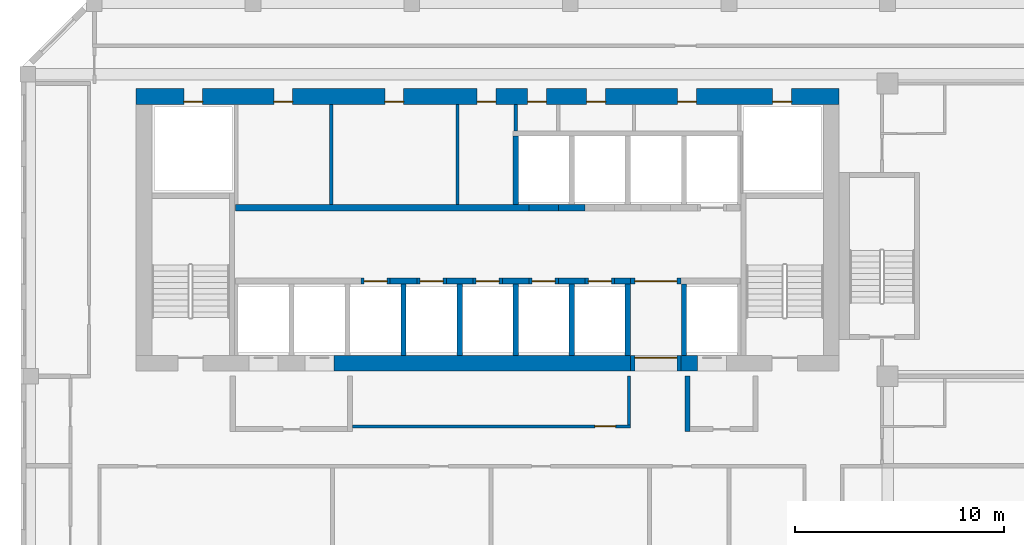
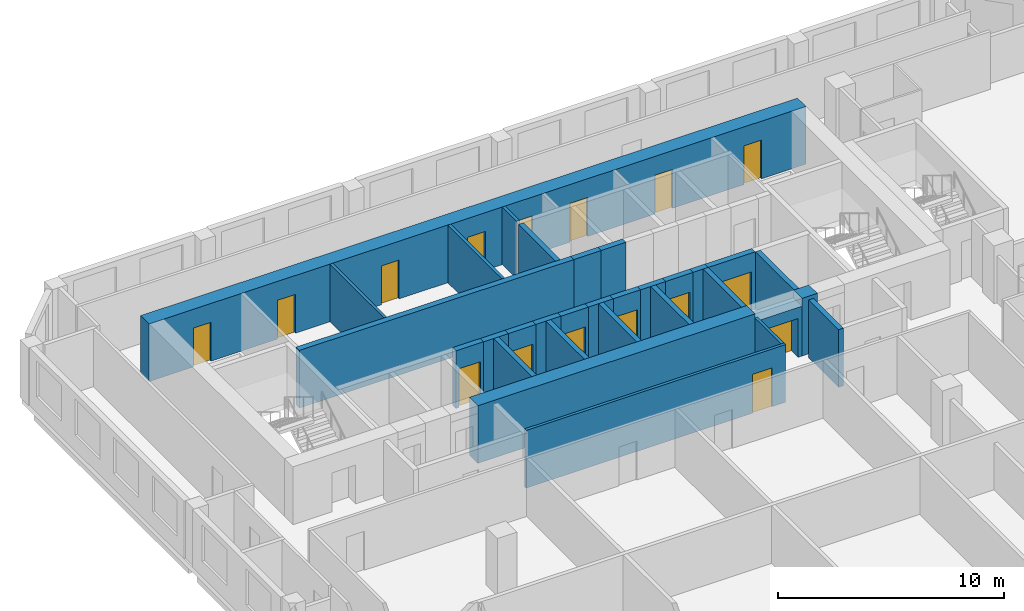
# One storey, part 7 of 22: 31 walls, 16 doors, 16 openings.
"""IFC4 building model written with IfcOpenShell, lengths in metres."""

from ifc_helpers import new_model, si_unit, direction, frame, frame_2d, origin, place, context, subcontext, project, spatial, rectangle, extrude, source, transform, mapped, material, layer, layer_set, type_object, element, fill, save


model = new_model("IFC4")

# Units and contexts
model_context = context("Model", 3, precision=1e-05, world=origin(), true_north=direction((0.0, 1.0)))
body_context = subcontext(model_context, "Body", "Model", "MODEL_VIEW")
ifc_project = project(units=[si_unit("LENGTHUNIT", "METRE"), si_unit("AREAUNIT", "SQUARE_METRE"), si_unit("VOLUMEUNIT", "CUBIC_METRE"), si_unit("PLANEANGLEUNIT", "RADIAN"), si_unit("MASSUNIT", "GRAM", prefix="KILO")], contexts=[model_context])

# Site, building, storey
site_placement = place(None, origin())
site = spatial("IfcSite", under=ifc_project, at=site_placement, CompositionType="ELEMENT")
building_placement = place(site_placement, origin())
building = spatial("IfcBuilding", under=site, at=building_placement, Name="Kilnfold Tower and Market Hall", CompositionType="ELEMENT")
storey_placement = place(building_placement, frame((0.0, 0.0, 213.5)))
storey = spatial("IfcBuildingStorey", under=building, at=storey_placement, Name="L52", CompositionType="ELEMENT", Elevation=213.5)

# Wall, opening, door
ifc_material_1 = material(Name="Gypsum board on steel studs", Category="steel")
ifc_layer_1 = layer(ifc_material_1, 0.14990234375)
ifc_layer_set_1 = layer_set([ifc_layer_1], Name="Gypsum board on steel studs")
wall_type_1 = type_object("IfcWallType", Name="WALL CORRIDOR 150", PredefinedType="PARTITIONING", material=ifc_layer_set_1)
wall_1_placement = place(storey_placement, frame((7.875, 5.60009765625, 0.0), z_axis=(0.0, 0.0, 1.0), x_axis=(-1.0, 0.0, 0.0)))
wall_1 = element("IfcWall", 1, at=wall_1_placement, inside=storey, type_object=wall_type_1, Name="Partition LY31.32", PredefinedType="PARTITIONING", context=body_context, shape_type="SweptSolid", body=[
    extrude(rectangle(XDim=13.27490234375, YDim=0.14990234375, at=frame_2d((6.637451171875, 0.0))), origin(), (0.0, 0.0, 1.0), 3.1201171875),
])
opening_1_placement = place(wall_1_placement, frame((0.702880859375, 0.0, 0.0)))
opening_1 = element("IfcOpeningElement", 2, at=opening_1_placement, cuts=wall_1, Name="Opening D1", PredefinedType="OPENING", context=body_context, shape_type="SweptSolid", body=[
    extrude(rectangle(XDim=1.0, YDim=2.10009765625, at=frame_2d((0.5, 1.050048828125))), frame((0.0, 0.0849609375, 0.0), z_axis=(0.0, -1.0, 0.0), x_axis=(1.0, 0.0, 0.0)), (0.0, 0.0, 1.0), 0.169921875),
])
ifc_material_2 = material(Name="Timber veneer door leaf in steel frame", Category="steel")
door_type_1 = type_object("IfcDoorType", Name="DOOR ENTRY 1000 X2100", OperationType="NOTDEFINED", PredefinedType="DOOR", material=ifc_material_2)
door_1_placement = place(opening_1_placement, origin())
door_1 = element("IfcDoor", 3, at=door_1_placement, inside=storey, type_object=door_type_1, Name="Door D1", OperationType="SINGLE_SWING_RIGHT", OverallHeight=2.10009765625, OverallWidth=1.0, PredefinedType="DOOR", context=body_context, shape_type="SweptSolid", body=[
    extrude(rectangle(XDim=1.0, YDim=2.10009765625, at=frame_2d((0.5, 1.050048828125))), frame((0.0, 0.02490234375, 0.0), z_axis=(0.0, -1.0, 0.0), x_axis=(1.0, 0.0, 0.0)), (0.0, 0.0, 1.0), 0.050048828125),
])
fill(opening_1, door_1)

# Walls
wall_2_placement = place(storey_placement, frame((7.800048828125, 8.0, 0.0), z_axis=(0.0, 0.0, 1.0), x_axis=(0.0, -1.0, 0.0)))
element("IfcWall", 4, at=wall_2_placement, inside=storey, type_object=wall_type_1, Name="Partition LY31.33", PredefinedType="PARTITIONING", context=body_context, shape_type="SweptSolid", body=[
    extrude(rectangle(XDim=2.324951171875, YDim=0.14990234375, at=frame_2d((1.16259765625, 0.0))), origin(), (0.0, 0.0, 1.0), 3.1201171875),
])
ifc_material_3 = material(Name="Concrete C60", Category="concrete")
ifc_layer_2 = layer(ifc_material_3, 0.300048828125)
ifc_layer_set_2 = layer_set([ifc_layer_2], Name="Concrete C60")
wall_type_2 = type_object("IfcWallType", Name="CORE WALL 300 C60", PredefinedType="SHEAR", material=ifc_layer_set_2)
shared_shape_1 = source(origin(), body_context, "Body", "SweptSolid", [
    extrude(rectangle(XDim=1.280029296875, YDim=0.300048828125, at=frame_2d((0.64013671875, 0.0))), origin(), (0.0, 0.0, 1.0), 3.1201171875),
])
for number, where, z_axis, x_axis, name in (
    (5, (-3.610107421875, 12.550048828125, 0.0), (0.0, 0.0, 1.0), (1.0, 0.0, 0.0), "Core spine wall"),
    (6, (-0.929931640625, 12.550048828125, 0.0), (0.0, 0.0, 1.0), (1.0, 0.0, 0.0), "Core spine wall"),
    (7, (1.75, 12.550048828125, 0.0), (0.0, 0.0, 1.0), (1.0, 0.0, 0.0), "Core spine wall"),
    (8, (4.429931640625, 12.550048828125, 0.0), (0.0, 0.0, 1.0), (1.0, 0.0, 0.0), "Core spine wall"),
    (9, (4.429931640625, 16.050048828125, 0.0), (0.0, 0.0, 1.0), (1.0, 0.0, 0.0), "Core spine wall"),
):
    element("IfcWall", number, at=place(storey_placement, frame(where, z_axis=z_axis, x_axis=x_axis)), inside=storey, type_object=wall_type_2, Name=name, PredefinedType="SHEAR", context=body_context, shape_type="MappedRepresentation", body=[
        mapped(shared_shape_1, transform((0.0, 0.0, 0.0))),
    ])
shared_shape_2 = source(origin(), body_context, "Body", "SweptSolid", [
    extrude(rectangle(XDim=0.77978515625, YDim=0.300048828125, at=frame_2d((0.389892578125, 0.0))), origin(), (0.0, 0.0, 1.0), 3.1201171875),
])
wall_3_placement = place(storey_placement, frame((7.110107421875, 12.550048828125, 0.0), z_axis=(0.0, 0.0, 1.0), x_axis=(1.0, 0.0, 0.0)))
element("IfcWall", 10, at=wall_3_placement, inside=storey, type_object=wall_type_2, Name="Core spine wall", PredefinedType="SHEAR", context=body_context, shape_type="MappedRepresentation", body=[
    mapped(shared_shape_2, transform((0.0, 0.0, 0.0))),
])
shared_shape_3 = source(origin(), body_context, "Body", "SweptSolid", [
    extrude(rectangle(XDim=14.0400390625, YDim=0.300048828125, at=frame_2d((7.02001953125, 0.0))), origin(), (0.0, 0.0, 1.0), 3.1201171875),
])
wall_4_placement = place(storey_placement, frame((-11.010009765625, 16.050048828125, 0.0), z_axis=(0.0, 0.0, 1.0), x_axis=(1.0, 0.0, 0.0)))
element("IfcWall", 11, at=wall_4_placement, inside=storey, type_object=wall_type_2, Name="Core spine wall", PredefinedType="SHEAR", context=body_context, shape_type="MappedRepresentation", body=[
    mapped(shared_shape_3, transform((0.0, 0.0, 0.0))),
])
ifc_material_4 = material(Name="Concrete C60", Category="concrete")
ifc_layer_3 = layer(ifc_material_4, 0.75)
ifc_layer_set_3 = layer_set([ifc_layer_3], Name="Concrete C60")
wall_type_3 = type_object("IfcWallType", Name="CORE WALL 750 C60", PredefinedType="SHEAR", material=ifc_layer_set_3)
shared_shape_4 = source(origin(), body_context, "Body", "SweptSolid", [
    extrude(rectangle(XDim=14.179931640625, YDim=0.75, at=frame_2d((7.08984375, 0.0))), origin(), (0.0, 0.0, 1.0), 3.1201171875),
])
wall_5_placement = place(storey_placement, frame((-6.2900390625, 8.625, 0.0), z_axis=(0.0, 0.0, 1.0), x_axis=(1.0, 0.0, 0.0)))
element("IfcWall", 12, at=wall_5_placement, inside=storey, type_object=wall_type_3, Name="Core outer wall south", PredefinedType="SHEAR", context=body_context, shape_type="MappedRepresentation", body=[
    mapped(shared_shape_4, transform((0.0, 0.0, 0.0))),
])
shared_shape_5 = source(origin(), body_context, "Body", "SweptSolid", [
    extrude(rectangle(XDim=0.780029296875, YDim=0.75, at=frame_2d((0.39013671875, 0.0))), origin(), (0.0, 0.0, 1.0), 3.1201171875),
])
wall_6_placement = place(storey_placement, frame((10.2900390625, 8.625, 0.0), z_axis=(0.0, 0.0, 1.0), x_axis=(1.0, 0.0, 0.0)))
element("IfcWall", 13, at=wall_6_placement, inside=storey, type_object=wall_type_3, Name="Core outer wall south", PredefinedType="SHEAR", context=body_context, shape_type="MappedRepresentation", body=[
    mapped(shared_shape_5, transform((0.0, 0.0, 0.0))),
])

# Wall, openings, doors
shared_shape_6 = source(origin(), body_context, "Body", "SweptSolid", [
    extrude(rectangle(XDim=33.60009765625, YDim=0.75, at=frame_2d((16.800048828125, 0.0))), origin(), (0.0, 0.0, 1.0), 3.1201171875),
])
wall_7_placement = place(storey_placement, frame((-15.75, 21.375, 0.0), z_axis=(0.0, 0.0, 1.0), x_axis=(1.0, 0.0, 0.0)))
wall_7 = element("IfcWall", 14, at=wall_7_placement, inside=storey, type_object=wall_type_3, Name="Core outer wall north", PredefinedType="SHEAR", context=body_context, shape_type="MappedRepresentation", body=[
    mapped(shared_shape_6, transform((0.0, 0.0, 0.0))),
])
opening_2_placement = place(wall_7_placement, frame((6.581298828125, 0.0, 0.0)))
opening_2 = element("IfcOpeningElement", 15, at=opening_2_placement, cuts=wall_7, Name="Opening KD1", PredefinedType="OPENING", context=body_context, shape_type="SweptSolid", body=[
    extrude(rectangle(XDim=0.89990234375, YDim=2.10009765625, at=frame_2d((0.449951171875, 1.050048828125))), frame((0.0, 0.385009765625, 0.0), z_axis=(0.0, -1.0, 0.0), x_axis=(1.0, 0.0, 0.0)), (0.0, 0.0, 1.0), 0.77001953125),
])
opening_3_placement = place(wall_7_placement, frame((11.8876953125, 0.0, 0.0)))
opening_3 = element("IfcOpeningElement", 16, at=opening_3_placement, cuts=wall_7, Name="Opening KD1", PredefinedType="OPENING", context=body_context, shape_type="SweptSolid", body=[
    extrude(rectangle(XDim=0.89990234375, YDim=2.10009765625, at=frame_2d((0.449951171875, 1.050048828125))), frame((0.0, 0.385009765625, 0.0), z_axis=(0.0, -1.0, 0.0), x_axis=(1.0, 0.0, 0.0)), (0.0, 0.0, 1.0), 0.77001953125),
])
opening_4_placement = place(wall_7_placement, frame((16.29638671875, 0.0, 0.0)))
opening_4 = element("IfcOpeningElement", 17, at=opening_4_placement, cuts=wall_7, Name="Opening KD1", PredefinedType="OPENING", context=body_context, shape_type="SweptSolid", body=[
    extrude(rectangle(XDim=0.89990234375, YDim=2.10009765625, at=frame_2d((0.449951171875, 1.050048828125))), frame((0.0, 0.385009765625, 0.0), z_axis=(0.0, -1.0, 0.0), x_axis=(1.0, 0.0, 0.0)), (0.0, 0.0, 1.0), 0.77001953125),
])
opening_5_placement = place(wall_7_placement, frame((18.70849609375, 0.0, 0.0)))
opening_5 = element("IfcOpeningElement", 18, at=opening_5_placement, cuts=wall_7, Name="Opening KD1", PredefinedType="OPENING", context=body_context, shape_type="SweptSolid", body=[
    extrude(rectangle(XDim=0.89990234375, YDim=2.10009765625, at=frame_2d((0.449951171875, 1.050048828125))), frame((0.0, 0.385009765625, 0.0), z_axis=(0.0, -1.0, 0.0), x_axis=(1.0, 0.0, 0.0)), (0.0, 0.0, 1.0), 0.77001953125),
])
opening_6_placement = place(wall_7_placement, frame((21.535888671875, 0.0, 0.0)))
opening_6 = element("IfcOpeningElement", 19, at=opening_6_placement, cuts=wall_7, Name="Opening KD1", PredefinedType="OPENING", context=body_context, shape_type="SweptSolid", body=[
    extrude(rectangle(XDim=0.89990234375, YDim=2.10009765625, at=frame_2d((0.449951171875, 1.050048828125))), frame((0.0, 0.385009765625, 0.0), z_axis=(0.0, -1.0, 0.0), x_axis=(1.0, 0.0, 0.0)), (0.0, 0.0, 1.0), 0.77001953125),
])
opening_7_placement = place(wall_7_placement, frame((25.87744140625, 0.0, 0.0)))
opening_7 = element("IfcOpeningElement", 20, at=opening_7_placement, cuts=wall_7, Name="Opening KD1", PredefinedType="OPENING", context=body_context, shape_type="SweptSolid", body=[
    extrude(rectangle(XDim=0.89990234375, YDim=2.10009765625, at=frame_2d((0.449951171875, 1.050048828125))), frame((0.0, 0.385009765625, 0.0), z_axis=(0.0, -1.0, 0.0), x_axis=(1.0, 0.0, 0.0)), (0.0, 0.0, 1.0), 0.77001953125),
])
opening_8_placement = place(wall_7_placement, frame((2.27490234375, 0.0, 0.0)))
opening_8 = element("IfcOpeningElement", 21, at=opening_8_placement, cuts=wall_7, Name="Opening KD1", PredefinedType="OPENING", context=body_context, shape_type="SweptSolid", body=[
    extrude(rectangle(XDim=0.89990234375, YDim=2.10009765625, at=frame_2d((0.449951171875, 1.050048828125))), frame((0.0, 0.385009765625, 0.0), z_axis=(0.0, -1.0, 0.0), x_axis=(1.0, 0.0, 0.0)), (0.0, 0.0, 1.0), 0.77001953125),
])
opening_9_placement = place(wall_7_placement, frame((30.425048828125, 0.0, 0.0)))
opening_9 = element("IfcOpeningElement", 22, at=opening_9_placement, cuts=wall_7, Name="Opening KD1", PredefinedType="OPENING", context=body_context, shape_type="SweptSolid", body=[
    extrude(rectangle(XDim=0.89990234375, YDim=2.10009765625, at=frame_2d((0.449951171875, 1.050048828125))), frame((0.0, 0.385009765625, 0.0), z_axis=(0.0, -1.0, 0.0), x_axis=(1.0, 0.0, 0.0)), (0.0, 0.0, 1.0), 0.77001953125),
])
ifc_material_5 = material(Name="Steel door set with fire-resisting leaf", Category="steel")
door_type_2 = type_object("IfcDoorType", Name="SERVICE DOOR 900X2100", OperationType="NOTDEFINED", PredefinedType="DOOR", material=ifc_material_5)
door_2_placement = place(opening_2_placement, origin())
door_2 = element("IfcDoor", 23, at=door_2_placement, inside=storey, type_object=door_type_2, Name="Core service door", OperationType="SINGLE_SWING_RIGHT", OverallHeight=2.10009765625, OverallWidth=0.89990234375, PredefinedType="DOOR", context=body_context, shape_type="SweptSolid", body=[
    extrude(rectangle(XDim=0.89990234375, YDim=2.10009765625, at=frame_2d((0.449951171875, 1.050048828125))), frame((0.0, -0.22998046875, 0.0), z_axis=(0.0, -1.0, 0.0), x_axis=(1.0, 0.0, 0.0)), (0.0, 0.0, 1.0), 0.050048828125),
])
fill(opening_2, door_2)
door_3_placement = place(opening_3_placement, origin())
door_3 = element("IfcDoor", 24, at=door_3_placement, inside=storey, type_object=door_type_2, Name="Core service door", OperationType="SINGLE_SWING_LEFT", OverallHeight=2.10009765625, OverallWidth=0.89990234375, PredefinedType="DOOR", context=body_context, shape_type="SweptSolid", body=[
    extrude(rectangle(XDim=0.89990234375, YDim=2.10009765625, at=frame_2d((0.449951171875, 1.050048828125))), frame((0.0, -0.22998046875, 0.0), z_axis=(0.0, -1.0, 0.0), x_axis=(1.0, 0.0, 0.0)), (0.0, 0.0, 1.0), 0.050048828125),
])
fill(opening_3, door_3)
door_4_placement = place(opening_4_placement, origin())
door_4 = element("IfcDoor", 25, at=door_4_placement, inside=storey, type_object=door_type_2, Name="Core service door", OperationType="SINGLE_SWING_RIGHT", OverallHeight=2.10009765625, OverallWidth=0.89990234375, PredefinedType="DOOR", context=body_context, shape_type="SweptSolid", body=[
    extrude(rectangle(XDim=0.89990234375, YDim=2.10009765625, at=frame_2d((0.449951171875, 1.050048828125))), frame((0.0, -0.22998046875, 0.0), z_axis=(0.0, -1.0, 0.0), x_axis=(1.0, 0.0, 0.0)), (0.0, 0.0, 1.0), 0.050048828125),
])
fill(opening_4, door_4)
door_5_placement = place(opening_5_placement, origin())
door_5 = element("IfcDoor", 26, at=door_5_placement, inside=storey, type_object=door_type_2, Name="Core service door", OperationType="SINGLE_SWING_LEFT", OverallHeight=2.10009765625, OverallWidth=0.89990234375, PredefinedType="DOOR", context=body_context, shape_type="SweptSolid", body=[
    extrude(rectangle(XDim=0.89990234375, YDim=2.10009765625, at=frame_2d((0.449951171875, 1.050048828125))), frame((0.0, -0.22998046875, 0.0), z_axis=(0.0, -1.0, 0.0), x_axis=(1.0, 0.0, 0.0)), (0.0, 0.0, 1.0), 0.050048828125),
])
fill(opening_5, door_5)
door_6_placement = place(opening_6_placement, origin())
door_6 = element("IfcDoor", 27, at=door_6_placement, inside=storey, type_object=door_type_2, Name="Core service door", OperationType="SINGLE_SWING_RIGHT", OverallHeight=2.10009765625, OverallWidth=0.89990234375, PredefinedType="DOOR", context=body_context, shape_type="SweptSolid", body=[
    extrude(rectangle(XDim=0.89990234375, YDim=2.10009765625, at=frame_2d((0.449951171875, 1.050048828125))), frame((0.0, -0.22998046875, 0.0), z_axis=(0.0, -1.0, 0.0), x_axis=(1.0, 0.0, 0.0)), (0.0, 0.0, 1.0), 0.050048828125),
])
fill(opening_6, door_6)
door_7_placement = place(opening_7_placement, origin())
door_7 = element("IfcDoor", 28, at=door_7_placement, inside=storey, type_object=door_type_2, Name="Core service door", OperationType="SINGLE_SWING_LEFT", OverallHeight=2.10009765625, OverallWidth=0.89990234375, PredefinedType="DOOR", context=body_context, shape_type="SweptSolid", body=[
    extrude(rectangle(XDim=0.89990234375, YDim=2.10009765625, at=frame_2d((0.449951171875, 1.050048828125))), frame((0.0, -0.22998046875, 0.0), z_axis=(0.0, -1.0, 0.0), x_axis=(1.0, 0.0, 0.0)), (0.0, 0.0, 1.0), 0.050048828125),
])
fill(opening_7, door_7)
door_8_placement = place(opening_8_placement, origin())
door_8 = element("IfcDoor", 29, at=door_8_placement, inside=storey, type_object=door_type_2, Name="Electrical riser access door", OperationType="SINGLE_SWING_RIGHT", OverallHeight=2.10009765625, OverallWidth=0.89990234375, PredefinedType="DOOR", context=body_context, shape_type="SweptSolid", body=[
    extrude(rectangle(XDim=0.89990234375, YDim=2.10009765625, at=frame_2d((0.449951171875, 1.050048828125))), frame((0.0, -0.22998046875, 0.0), z_axis=(0.0, -1.0, 0.0), x_axis=(1.0, 0.0, 0.0)), (0.0, 0.0, 1.0), 0.050048828125),
])
fill(opening_8, door_8)
door_9_placement = place(opening_9_placement, origin())
door_9 = element("IfcDoor", 30, at=door_9_placement, inside=storey, type_object=door_type_2, Name="Mechanical riser access door", OperationType="SINGLE_SWING_LEFT", OverallHeight=2.10009765625, OverallWidth=0.89990234375, PredefinedType="DOOR", context=body_context, shape_type="SweptSolid", body=[
    extrude(rectangle(XDim=0.89990234375, YDim=2.10009765625, at=frame_2d((0.449951171875, 1.050048828125))), frame((0.0, -0.22998046875, 0.0), z_axis=(0.0, -1.0, 0.0), x_axis=(1.0, 0.0, 0.0)), (0.0, 0.0, 1.0), 0.050048828125),
])
fill(opening_9, door_9)

# Wall, opening, door
ifc_material_6 = material(Name="Gypsum shaft wall system")
ifc_layer_4 = layer(ifc_material_6, 0.300048828125)
ifc_layer_set_4 = layer_set([ifc_layer_4], Name="Gypsum shaft wall system")
wall_type_4 = type_object("IfcWallType", Name="SHAFT WALL 300", PredefinedType="PARTITIONING", material=ifc_layer_set_4)
shared_shape_7 = source(origin(), body_context, "Body", "SweptSolid", [
    extrude(rectangle(XDim=1.39990234375, YDim=0.300048828125, at=frame_2d((0.699951171875, 0.0))), origin(), (0.0, 0.0, 1.0), 3.1201171875),
])
wall_8_placement = place(storey_placement, frame((-5.010009765625, 12.550048828125, 0.0), z_axis=(0.0, 0.0, 1.0), x_axis=(1.0, 0.0, 0.0)))
wall_8 = element("IfcWall", 31, at=wall_8_placement, inside=storey, type_object=wall_type_4, Name="Lift shaft front wall", PredefinedType="PARTITIONING", context=body_context, shape_type="MappedRepresentation", body=[
    mapped(shared_shape_7, transform((0.0, 0.0, 0.0))),
])
opening_10_placement = place(wall_8_placement, frame((0.14990234375, 0.0, 0.0)))
opening_10 = element("IfcOpeningElement", 32, at=opening_10_placement, cuts=wall_8, Name="Opening LD2", PredefinedType="OPENING", context=body_context, shape_type="SweptSolid", body=[
    extrude(rectangle(XDim=1.10009765625, YDim=2.10009765625, at=frame_2d((0.550048828125, 1.050048828125))), frame((0.0, 0.16015625, 0.0), z_axis=(0.0, -1.0, 0.0), x_axis=(1.0, 0.0, 0.0)), (0.0, 0.0, 1.0), 0.320068359375),
])
ifc_material_7 = material(Name="Steel door set with fire-resisting leaf", Category="steel")
door_type_3 = type_object("IfcDoorType", Name="LANDING DOOR 1100X2100", OperationType="NOTDEFINED", PredefinedType="DOOR", material=ifc_material_7)
door_10_placement = place(opening_10_placement, origin())
door_10 = element("IfcDoor", 33, at=door_10_placement, inside=storey, type_object=door_type_3, Name="Landing door MR1", OperationType="DOUBLE_DOOR_SLIDING", OverallHeight=2.10009765625, OverallWidth=1.10009765625, PredefinedType="DOOR", context=body_context, shape_type="SweptSolid", body=[
    extrude(rectangle(XDim=1.10009765625, YDim=2.10009765625, at=frame_2d((0.550048828125, 1.050048828125))), frame((0.0, 0.02490234375, 0.0), z_axis=(0.0, -1.0, 0.0), x_axis=(1.0, 0.0, 0.0)), (0.0, 0.0, 1.0), 0.050048828125),
])
fill(opening_10, door_10)

wall_9_placement = place(storey_placement, frame((0.35009765625, 12.550048828125, 0.0), z_axis=(0.0, 0.0, 1.0), x_axis=(1.0, 0.0, 0.0)))
wall_9 = element("IfcWall", 34, at=wall_9_placement, inside=storey, type_object=wall_type_4, Name="Lift shaft front wall", PredefinedType="PARTITIONING", context=body_context, shape_type="MappedRepresentation", body=[
    mapped(shared_shape_7, transform((0.0, 0.0, 0.0))),
])
opening_11_placement = place(wall_9_placement, frame((0.14990234375, 0.0, 0.0)))
opening_11 = element("IfcOpeningElement", 35, at=opening_11_placement, cuts=wall_9, Name="Opening LD2", PredefinedType="OPENING", context=body_context, shape_type="SweptSolid", body=[
    extrude(rectangle(XDim=1.10009765625, YDim=2.10009765625, at=frame_2d((0.550048828125, 1.050048828125))), frame((0.0, 0.16015625, 0.0), z_axis=(0.0, -1.0, 0.0), x_axis=(1.0, 0.0, 0.0)), (0.0, 0.0, 1.0), 0.320068359375),
])
door_11_placement = place(opening_11_placement, origin())
door_11 = element("IfcDoor", 36, at=door_11_placement, inside=storey, type_object=door_type_3, Name="Landing door MR3", OperationType="DOUBLE_DOOR_SLIDING", OverallHeight=2.10009765625, OverallWidth=1.10009765625, PredefinedType="DOOR", context=body_context, shape_type="SweptSolid", body=[
    extrude(rectangle(XDim=1.10009765625, YDim=2.10009765625, at=frame_2d((0.550048828125, 1.050048828125))), frame((0.0, 0.02490234375, 0.0), z_axis=(0.0, -1.0, 0.0), x_axis=(1.0, 0.0, 0.0)), (0.0, 0.0, 1.0), 0.050048828125),
])
fill(opening_11, door_11)

wall_10_placement = place(storey_placement, frame((3.030029296875, 12.550048828125, 0.0), z_axis=(0.0, 0.0, 1.0), x_axis=(1.0, 0.0, 0.0)))
wall_10 = element("IfcWall", 37, at=wall_10_placement, inside=storey, type_object=wall_type_4, Name="Lift shaft front wall", PredefinedType="PARTITIONING", context=body_context, shape_type="MappedRepresentation", body=[
    mapped(shared_shape_7, transform((0.0, 0.0, 0.0))),
])
opening_12_placement = place(wall_10_placement, frame((0.14990234375, 0.0, 0.0)))
opening_12 = element("IfcOpeningElement", 38, at=opening_12_placement, cuts=wall_10, Name="Opening LD2", PredefinedType="OPENING", context=body_context, shape_type="SweptSolid", body=[
    extrude(rectangle(XDim=1.10009765625, YDim=2.10009765625, at=frame_2d((0.550048828125, 1.050048828125))), frame((0.0, 0.16015625, 0.0), z_axis=(0.0, -1.0, 0.0), x_axis=(1.0, 0.0, 0.0)), (0.0, 0.0, 1.0), 0.320068359375),
])
door_12_placement = place(opening_12_placement, origin())
door_12 = element("IfcDoor", 39, at=door_12_placement, inside=storey, type_object=door_type_3, Name="Landing door MR4", OperationType="DOUBLE_DOOR_SLIDING", OverallHeight=2.10009765625, OverallWidth=1.10009765625, PredefinedType="DOOR", context=body_context, shape_type="SweptSolid", body=[
    extrude(rectangle(XDim=1.10009765625, YDim=2.10009765625, at=frame_2d((0.550048828125, 1.050048828125))), frame((0.0, 0.02490234375, 0.0), z_axis=(0.0, -1.0, 0.0), x_axis=(1.0, 0.0, 0.0)), (0.0, 0.0, 1.0), 0.050048828125),
])
fill(opening_12, door_12)

# Wall
wall_11_placement = place(storey_placement, frame((3.030029296875, 16.050048828125, 0.0), z_axis=(0.0, 0.0, 1.0), x_axis=(1.0, 0.0, 0.0)))
element("IfcWall", 40, at=wall_11_placement, inside=storey, type_object=wall_type_4, Name="Lift shaft front wall", PredefinedType="PARTITIONING", context=body_context, shape_type="MappedRepresentation", body=[
    mapped(shared_shape_7, transform((0.0, 0.0, 0.0))),
])

# Wall, opening, door
shared_shape_8 = source(origin(), body_context, "Body", "SweptSolid", [
    extrude(rectangle(XDim=1.400146484375, YDim=0.300048828125, at=frame_2d((0.7001953125, 0.0))), origin(), (0.0, 0.0, 1.0), 3.1201171875),
])
wall_12_placement = place(storey_placement, frame((-2.330078125, 12.550048828125, 0.0), z_axis=(0.0, 0.0, 1.0), x_axis=(1.0, 0.0, 0.0)))
wall_12 = element("IfcWall", 41, at=wall_12_placement, inside=storey, type_object=wall_type_4, Name="Lift shaft front wall", PredefinedType="PARTITIONING", context=body_context, shape_type="MappedRepresentation", body=[
    mapped(shared_shape_8, transform((0.0, 0.0, 0.0))),
])
opening_13_placement = place(wall_12_placement, frame((0.14990234375, 0.0, 0.0)))
opening_13 = element("IfcOpeningElement", 42, at=opening_13_placement, cuts=wall_12, Name="Opening LD2", PredefinedType="OPENING", context=body_context, shape_type="SweptSolid", body=[
    extrude(rectangle(XDim=1.10009765625, YDim=2.10009765625, at=frame_2d((0.550048828125, 1.050048828125))), frame((0.0, 0.16015625, 0.0), z_axis=(0.0, -1.0, 0.0), x_axis=(1.0, 0.0, 0.0)), (0.0, 0.0, 1.0), 0.320068359375),
])
door_13_placement = place(opening_13_placement, origin())
door_13 = element("IfcDoor", 43, at=door_13_placement, inside=storey, type_object=door_type_3, Name="Landing door MR2", OperationType="DOUBLE_DOOR_SLIDING", OverallHeight=2.10009765625, OverallWidth=1.10009765625, PredefinedType="DOOR", context=body_context, shape_type="SweptSolid", body=[
    extrude(rectangle(XDim=1.10009765625, YDim=2.10009765625, at=frame_2d((0.550048828125, 1.050048828125))), frame((0.0, 0.02490234375, 0.0), z_axis=(0.0, -1.0, 0.0), x_axis=(1.0, 0.0, 0.0)), (0.0, 0.0, 1.0), 0.050048828125),
])
fill(opening_13, door_13)

wall_13_placement = place(storey_placement, frame((5.7099609375, 12.550048828125, 0.0), z_axis=(0.0, 0.0, 1.0), x_axis=(1.0, 0.0, 0.0)))
wall_13 = element("IfcWall", 44, at=wall_13_placement, inside=storey, type_object=wall_type_4, Name="Lift shaft front wall", PredefinedType="PARTITIONING", context=body_context, shape_type="MappedRepresentation", body=[
    mapped(shared_shape_8, transform((0.0, 0.0, 0.0))),
])
opening_14_placement = place(wall_13_placement, frame((0.14990234375, 0.0, 0.0)))
opening_14 = element("IfcOpeningElement", 45, at=opening_14_placement, cuts=wall_13, Name="Opening LD2", PredefinedType="OPENING", context=body_context, shape_type="SweptSolid", body=[
    extrude(rectangle(XDim=1.10009765625, YDim=2.10009765625, at=frame_2d((0.550048828125, 1.050048828125))), frame((0.0, 0.16015625, 0.0), z_axis=(0.0, -1.0, 0.0), x_axis=(1.0, 0.0, 0.0)), (0.0, 0.0, 1.0), 0.320068359375),
])
door_14_placement = place(opening_14_placement, origin())
door_14 = element("IfcDoor", 46, at=door_14_placement, inside=storey, type_object=door_type_3, Name="Landing door MR5", OperationType="DOUBLE_DOOR_SLIDING", OverallHeight=2.10009765625, OverallWidth=1.10009765625, PredefinedType="DOOR", context=body_context, shape_type="SweptSolid", body=[
    extrude(rectangle(XDim=1.10009765625, YDim=2.10009765625, at=frame_2d((0.550048828125, 1.050048828125))), frame((0.0, 0.02490234375, 0.0), z_axis=(0.0, -1.0, 0.0), x_axis=(1.0, 0.0, 0.0)), (0.0, 0.0, 1.0), 0.050048828125),
])
fill(opening_14, door_14)

shared_shape_9 = source(origin(), body_context, "Body", "SweptSolid", [
    extrude(rectangle(XDim=2.400146484375, YDim=0.300048828125, at=frame_2d((1.2001953125, 0.0))), origin(), (0.0, 0.0, 1.0), 3.1201171875),
])
wall_14_placement = place(storey_placement, frame((7.889892578125, 12.550048828125, 0.0), z_axis=(0.0, 0.0, 1.0), x_axis=(1.0, 0.0, 0.0)))
wall_14 = element("IfcWall", 47, at=wall_14_placement, inside=storey, type_object=wall_type_4, Name="Lift shaft front wall", PredefinedType="PARTITIONING", context=body_context, shape_type="MappedRepresentation", body=[
    mapped(shared_shape_9, transform((0.0, 0.0, 0.0))),
])
opening_15_placement = place(wall_14_placement, frame((0.199951171875, 0.0, 0.0)))
opening_15 = element("IfcOpeningElement", 48, at=opening_15_placement, cuts=wall_14, Name="Opening VD2", PredefinedType="OPENING", context=body_context, shape_type="SweptSolid", body=[
    extrude(rectangle(XDim=2.0, YDim=2.10009765625, at=frame_2d((1.0, 1.050048828125))), frame((0.0, 0.16015625, 0.0), z_axis=(0.0, -1.0, 0.0), x_axis=(1.0, 0.0, 0.0)), (0.0, 0.0, 1.0), 0.320068359375),
])
ifc_material_8 = material(Name="Steel door set with fire-resisting leaf", Category="steel")
door_type_4 = type_object("IfcDoorType", Name="LIFT LOBBY ENTRANCE DOOR 2000X2100", OperationType="NOTDEFINED", PredefinedType="DOOR", material=ifc_material_8)
door_15_placement = place(opening_15_placement, origin())
door_15 = element("IfcDoor", 49, at=door_15_placement, inside=storey, type_object=door_type_4, Name="Lift lobby entrance door", OperationType="DOUBLE_DOOR_SINGLE_SWING", OverallHeight=2.10009765625, OverallWidth=2.0, PredefinedType="DOOR", context=body_context, shape_type="SweptSolid", body=[
    extrude(rectangle(XDim=2.0, YDim=2.10009765625, at=frame_2d((1.0, 1.050048828125))), frame((0.0, 0.02490234375, 0.0), z_axis=(0.0, -1.0, 0.0), x_axis=(1.0, 0.0, 0.0)), (0.0, 0.0, 1.0), 0.050048828125),
])
fill(opening_15, door_15)

# Walls
ifc_material_9 = material(Name="Gypsum shaft wall system")
ifc_layer_5 = layer(ifc_material_9, 0.25)
ifc_layer_set_5 = layer_set([ifc_layer_5], Name="Gypsum shaft wall system")
wall_type_5 = type_object("IfcWallType", Name="LOBBY WALL 250", PredefinedType="PARTITIONING", material=ifc_layer_set_5)
shared_shape_10 = source(origin(), body_context, "Body", "SweptSolid", [
    extrude(rectangle(XDim=2.64990234375, YDim=0.25, at=frame_2d((1.324951171875, 0.0))), origin(), (0.0, 0.0, 1.0), 3.1201171875),
])
wall_15_placement = place(storey_placement, frame((10.60498046875, 5.35009765625, 0.0), z_axis=(0.0, 0.0, 1.0), x_axis=(0.0, 1.0, 0.0)))
element("IfcWall", 50, at=wall_15_placement, inside=storey, type_object=wall_type_5, Name="Firefighting lobby wall", PredefinedType="PARTITIONING", context=body_context, shape_type="MappedRepresentation", body=[
    mapped(shared_shape_10, transform((0.0, 0.0, 0.0))),
])
ifc_material_10 = material(Name="Gypsum shaft wall system")
ifc_layer_6 = layer(ifc_material_10, 0.25)
ifc_layer_set_6 = layer_set([ifc_layer_6], Name="Gypsum shaft wall system")
wall_type_6 = type_object("IfcWallType", Name="SHAFT WALL 250", PredefinedType="PARTITIONING", material=ifc_layer_set_6)
shared_shape_11 = source(origin(), body_context, "Body", "SweptSolid", [
    extrude(rectangle(XDim=3.275146484375, YDim=0.25, at=frame_2d((1.6376953125, 0.0))), origin(), (0.0, 0.0, 1.0), 3.1201171875),
])
wall_16_placement = place(storey_placement, frame((2.389892578125, 16.199951171875, 0.0), z_axis=(0.0, 0.0, 1.0), x_axis=(0.0, 1.0, 0.0)))
element("IfcWall", 51, at=wall_16_placement, inside=storey, type_object=wall_type_6, Name="Lift shaft wall", PredefinedType="PARTITIONING", context=body_context, shape_type="MappedRepresentation", body=[
    mapped(shared_shape_11, transform((0.0, 0.0, 0.0))),
])
shared_shape_12 = source(origin(), body_context, "Body", "SweptSolid", [
    extrude(rectangle(XDim=3.39990234375, YDim=0.25, at=frame_2d((1.699951171875, 0.0))), origin(), (0.0, 0.0, 1.0), 3.1201171875),
])
for number, where, z_axis, x_axis, name in (
    (52, (10.429931640625, 9.0, 0.0), (0.0, 0.0, 1.0), (0.0, 1.0, 0.0), "Lift shaft wall"),
    (53, (2.389892578125, 9.0, 0.0), (0.0, 0.0, 1.0), (0.0, 1.0, 0.0), "Lift shaft wall"),
    (54, (5.070068359375, 9.0, 0.0), (0.0, 0.0, 1.0), (0.0, 1.0, 0.0), "Lift shaft wall"),
    (55, (7.75, 9.0, 0.0), (0.0, 0.0, 1.0), (0.0, 1.0, 0.0), "Lift shaft wall"),
    (56, (-0.2900390625, 9.0, 0.0), (0.0, 0.0, 1.0), (0.0, 1.0, 0.0), "Lift shaft wall"),
    (57, (-2.969970703125, 9.0, 0.0), (0.0, 0.0, 1.0), (0.0, 1.0, 0.0), "Lift shaft wall"),
):
    element("IfcWall", number, at=place(storey_placement, frame(where, z_axis=z_axis, x_axis=x_axis)), inside=storey, type_object=wall_type_6, Name=name, PredefinedType="PARTITIONING", context=body_context, shape_type="MappedRepresentation", body=[
        mapped(shared_shape_12, transform((0.0, 0.0, 0.0))),
    ])
ifc_material_11 = material(Name="Gypsum shaft wall system")
ifc_layer_7 = layer(ifc_material_11, 0.14990234375)
ifc_layer_set_7 = layer_set([ifc_layer_7], Name="Gypsum shaft wall system")
wall_type_7 = type_object("IfcWallType", Name="ROOM WALL 150", PredefinedType="PARTITIONING", material=ifc_layer_set_7)
shared_shape_13 = source(origin(), body_context, "Body", "SweptSolid", [
    extrude(rectangle(XDim=4.800048828125, YDim=0.14990234375, at=frame_2d((2.39990234375, 0.0))), origin(), (0.0, 0.0, 1.0), 3.1201171875),
])
for number, where, z_axis, x_axis, name in (
    (58, (-6.42724609375, 16.199951171875, 0.0), (0.0, 0.0, 1.0), (0.0, 1.0, 0.0), "Core room wall"),
    (59, (-0.397216796875, 16.199951171875, 0.0), (0.0, 0.0, 1.0), (0.0, 1.0, 0.0), "Core room wall"),
):
    element("IfcWall", number, at=place(storey_placement, frame(where, z_axis=z_axis, x_axis=x_axis)), inside=storey, type_object=wall_type_7, Name=name, PredefinedType="PARTITIONING", context=body_context, shape_type="MappedRepresentation", body=[
        mapped(shared_shape_13, transform((0.0, 0.0, 0.0))),
    ])
shared_shape_14 = source(origin(), body_context, "Body", "SweptSolid", [
    extrude(rectangle(XDim=1.27490234375, YDim=0.14990234375, at=frame_2d((0.637451171875, 0.0))), origin(), (0.0, 0.0, 1.0), 3.1201171875),
])
wall_17_placement = place(storey_placement, frame((2.389892578125, 19.72509765625, 0.0), z_axis=(0.0, 0.0, 1.0), x_axis=(0.0, 1.0, 0.0)))
element("IfcWall", 60, at=wall_17_placement, inside=storey, type_object=wall_type_7, Name="Core room wall", PredefinedType="PARTITIONING", context=body_context, shape_type="MappedRepresentation", body=[
    mapped(shared_shape_14, transform((0.0, 0.0, 0.0))),
])

# Wall, opening, door
ifc_material_12 = material(Name="Gypsum shaft wall system")
ifc_layer_8 = layer(ifc_material_12, 0.75)
ifc_layer_set_8 = layer_set([ifc_layer_8], Name="Gypsum shaft wall system")
wall_type_8 = type_object("IfcWallType", Name="LOBBY WALL 750", PredefinedType="PARTITIONING", material=ifc_layer_set_8)
shared_shape_15 = source(origin(), body_context, "Body", "SweptSolid", [
    extrude(rectangle(XDim=2.400146484375, YDim=0.75, at=frame_2d((1.2001953125, 0.0))), origin(), (0.0, 0.0, 1.0), 2.699951171875),
])
wall_18_placement = place(storey_placement, frame((7.889892578125, 8.625, 0.0), z_axis=(0.0, 0.0, 1.0), x_axis=(1.0, 0.0, 0.0)))
wall_18 = element("IfcWall", 61, at=wall_18_placement, inside=storey, type_object=wall_type_8, Name="Core wall infill", PredefinedType="PARTITIONING", context=body_context, shape_type="MappedRepresentation", body=[
    mapped(shared_shape_15, transform((0.0, 0.0, 0.0))),
])
opening_16_placement = place(wall_18_placement, frame((0.199951171875, 0.0, 0.0)))
opening_16 = element("IfcOpeningElement", 62, at=opening_16_placement, cuts=wall_18, Name="Opening VD2", PredefinedType="OPENING", context=body_context, shape_type="SweptSolid", body=[
    extrude(rectangle(XDim=2.0, YDim=2.10009765625, at=frame_2d((1.0, 1.050048828125))), frame((0.0, 0.385009765625, 0.0), z_axis=(0.0, -1.0, 0.0), x_axis=(1.0, 0.0, 0.0)), (0.0, 0.0, 1.0), 0.77001953125),
])
door_16_placement = place(opening_16_placement, origin())
door_16 = element("IfcDoor", 63, at=door_16_placement, inside=storey, type_object=door_type_4, Name="Lift lobby entrance door", OperationType="DOUBLE_DOOR_SINGLE_SWING", OverallHeight=2.10009765625, OverallWidth=2.0, PredefinedType="DOOR", context=body_context, shape_type="SweptSolid", body=[
    extrude(rectangle(XDim=2.0, YDim=2.10009765625, at=frame_2d((1.0, 1.050048828125))), frame((0.0, 0.27978515625, 0.0), z_axis=(0.0, -1.0, 0.0), x_axis=(1.0, 0.0, 0.0)), (0.0, 0.0, 1.0), 0.050048828125),
])
fill(opening_16, door_16)

save(model, "model.ifc")
